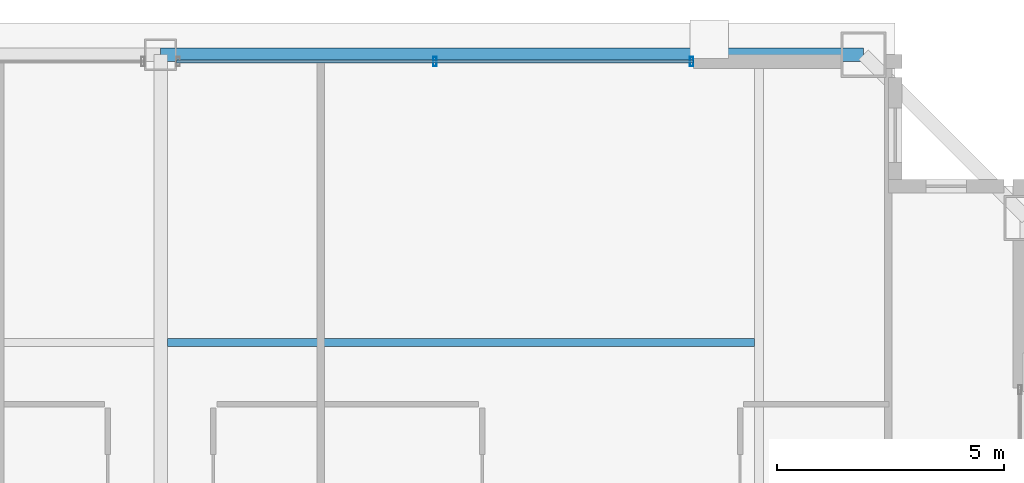
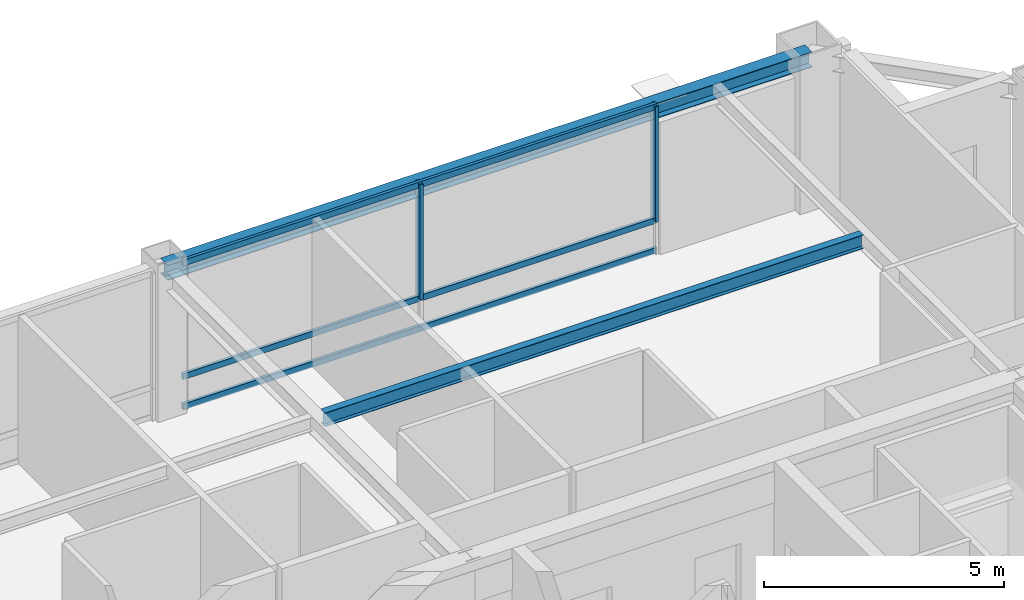
# One storey, part 19 of 34: 5 members, 2 beams, 1 element without a shape of its own.
"""IFC4 building model written with IfcOpenShell, lengths in metres."""

import ifcopenshell
import ifcopenshell.guid

model = None  # the IFC model being written
_history = None  # IfcOwnerHistory: only IFC2X3 demands one
_inside = {}  # id of a spatial element -> (the spatial element, [elements in it])
_under = {}  # id of a project, library or spatial element -> (it, [spatial elements below it])
_declared = {}  # id of a project -> (the project, [libraries it declares])
_typed = {}  # id of a type object -> (the type object, [elements of that type])
_made_of = {}  # id of a material, layer set ... -> (it, [elements and type objects made of it])


def new_model(schema):
    """Start an empty IFC model of exactly this schema.

    Asked for "IFC4X3", IfcOpenShell would pick the latest addendum, in which some entities
    have other attributes; the version numbers below select the first issue.
    IFC2X3 requires an IfcOwnerHistory on every rooted entity: one is made here for all.
    """
    global model, _history
    if schema == "IFC4X3":
        model = ifcopenshell.file(schema_version=(4, 3, 0, 0))
    else:
        model = ifcopenshell.file(schema=schema)
    _inside.clear()
    _under.clear()
    _declared.clear()
    _typed.clear()
    _made_of.clear()
    _history = None
    if model.schema == "IFC2X3":
        org = make("IfcOrganization", Name="unknown")
        user = make(
            "IfcPersonAndOrganization",
            ThePerson=make("IfcPerson", FamilyName="unknown"),
            TheOrganization=org,
        )
        app = make(
            "IfcApplication",
            ApplicationDeveloper=org,
            Version="unknown",
            ApplicationFullName="unknown",
            ApplicationIdentifier="unknown",
        )
        _history = make(
            "IfcOwnerHistory",
            OwningUser=user,
            OwningApplication=app,
            ChangeAction="ADDED",
            CreationDate=0,
        )
    return model


def make(cls, **values):
    """One entity of the class cls with the attributes given. An attribute that is None is left unset."""
    return model.create_entity(
        cls, **{name: value for name, value in values.items() if value is not None}
    )


def rooted(cls, **values):
    """An entity with a GlobalId (a new one), such as an element, a storey or a relation."""
    return make(cls, GlobalId=ifcopenshell.guid.new(), OwnerHistory=_history, **values)


def si_unit(unit_type, name, prefix=None):
    """IfcSIUnit, for example si_unit("LENGTHUNIT", "METRE", prefix="MILLI")."""
    return make("IfcSIUnit", UnitType=unit_type, Prefix=prefix, Name=name)


def assignment(units):
    """IfcUnitAssignment: the units of a project."""
    return None if units is None else make("IfcUnitAssignment", Units=units)


def point(xyz):
    """IfcCartesianPoint."""
    return None if xyz is None else make("IfcCartesianPoint", Coordinates=xyz)


def direction(xyz):
    """IfcDirection."""
    return None if xyz is None else make("IfcDirection", DirectionRatios=xyz)


def frame(location, z_axis=None, x_axis=None):
    """IfcAxis2Placement3D, a coordinate frame: its origin and axes. An axis left out is left unset."""
    return make(
        "IfcAxis2Placement3D",
        Location=point(location),
        Axis=direction(z_axis),
        RefDirection=direction(x_axis),
    )


def frame_2d(location, x_axis=None):
    """IfcAxis2Placement2D, a coordinate frame in the plane: its origin and x axis."""
    return make(
        "IfcAxis2Placement2D", Location=point(location), RefDirection=direction(x_axis)
    )


def origin():
    """The frame at (0, 0, 0) with its axes left unset."""
    return frame((0.0, 0.0, 0.0))


def origin_2d():
    """The frame at (0, 0) in the plane with its x axis left unset."""
    return frame_2d((0.0, 0.0))


def place(relative_to, where):
    """IfcLocalPlacement: puts the frame where relative to a parent placement (None: the world)."""
    return make(
        "IfcLocalPlacement", PlacementRelTo=relative_to, RelativePlacement=where
    )


def context(
    kind, dimensions, precision=None, world=None, true_north=None, identifier=None
):
    """IfcGeometricRepresentationContext, for example the 3D "Model" context."""
    return make(
        "IfcGeometricRepresentationContext",
        ContextIdentifier=identifier,
        ContextType=kind,
        CoordinateSpaceDimension=dimensions,
        Precision=precision,
        WorldCoordinateSystem=world,
        TrueNorth=true_north,
    )


def subcontext(parent, identifier, kind, view, scale=None):
    """IfcGeometricRepresentationSubContext, for example "Body" below "Model"."""
    return make(
        "IfcGeometricRepresentationSubContext",
        ContextIdentifier=identifier,
        ContextType=kind,
        ParentContext=parent,
        TargetScale=scale,
        TargetView=view,
    )


def project(units=None, contexts=None):
    """IfcProject with its units and contexts."""
    return rooted(
        "IfcProject",
        Name="project",
        RepresentationContexts=contexts,
        UnitsInContext=assignment(units),
    )


def spatial(cls, under=None, at=None, **own):
    """A site, building, storey or space (cls), placed at a placement, below another one or the project."""
    s = rooted(cls, ObjectPlacement=at, **own)
    if under is not None:
        _under.setdefault(under.id(), (under, []))[1].append(s)
    return s


def profile(cls, at=None, kind="AREA", **sizes):
    """A parametric profile (cls). Its sizes go by their IFC names, for example OverallWidth=200.0."""
    return make(cls, ProfileType=kind, Position=at, **sizes)


def hollow_rectangle(**sizes):
    """IfcRectangleHollowProfileDef."""
    return profile("IfcRectangleHollowProfileDef", **sizes)


def i_section(**sizes):
    """IfcIShapeProfileDef."""
    return profile("IfcIShapeProfileDef", **sizes)


def extrude(swept, where, along, depth):
    """IfcExtrudedAreaSolid: the profile swept, set in the frame where, extruded along a direction by depth."""
    return make(
        "IfcExtrudedAreaSolid",
        SweptArea=swept,
        Position=where,
        ExtrudedDirection=direction(along),
        Depth=depth,
    )


def shape(context_of_items, identifier, shape_type, items):
    """IfcShapeRepresentation: the items that make up one representation, for example the "Body"."""
    return make(
        "IfcShapeRepresentation",
        ContextOfItems=context_of_items,
        RepresentationIdentifier=identifier,
        RepresentationType=shape_type,
        Items=items,
    )


def source(mapping_origin, context_of_items, identifier, shape_type, items):
    """IfcRepresentationMap: a shape defined once, which mapped items show again and again."""
    return make(
        "IfcRepresentationMap",
        MappingOrigin=mapping_origin,
        MappedRepresentation=shape(context_of_items, identifier, shape_type, items),
    )


def transform(
    local_origin,
    x_axis=None,
    y_axis=None,
    z_axis=None,
    scale=None,
    scale2=None,
    scale3=None,
    uniform=True,
):
    """IfcCartesianTransformationOperator3D, or its non-uniform kind. x_axis, y_axis, z_axis: its Axis1, 2, 3."""
    if uniform:
        return make(
            "IfcCartesianTransformationOperator3D",
            Axis1=direction(x_axis),
            Axis2=direction(y_axis),
            LocalOrigin=point(local_origin),
            Scale=scale,
            Axis3=direction(z_axis),
        )
    return make(
        "IfcCartesianTransformationOperator3DnonUniform",
        Axis1=direction(x_axis),
        Axis2=direction(y_axis),
        LocalOrigin=point(local_origin),
        Scale=scale,
        Axis3=direction(z_axis),
        Scale2=scale2,
        Scale3=scale3,
    )


def mapped(mapping_source, mapping_target):
    """IfcMappedItem: shows the shape of a source again, moved by a transform."""
    return make(
        "IfcMappedItem", MappingSource=mapping_source, MappingTarget=mapping_target
    )


def material(Name=None, Category=None):
    """IfcMaterial."""
    return make("IfcMaterial", Name=Name, Category=Category)


def layer(
    of_material, thickness, ventilated=None, Name=None, Category=None, Priority=None
):
    """IfcMaterialLayer: one layer of a wall or slab, of a material (None: an air gap)."""
    return make(
        "IfcMaterialLayer",
        Material=of_material,
        LayerThickness=thickness,
        IsVentilated=ventilated,
        Name=Name,
        Category=Category,
        Priority=Priority,
    )


def layer_set(layers, Name=None):
    """IfcMaterialLayerSet."""
    return make("IfcMaterialLayerSet", MaterialLayers=layers, LayerSetName=Name)


def material_profile(
    of_material, cross_section, Name=None, Category=None, Priority=None
):
    """IfcMaterialProfile: a cross section and its material."""
    return make(
        "IfcMaterialProfile",
        Name=Name,
        Material=of_material,
        Profile=cross_section,
        Priority=Priority,
        Category=Category,
    )


def profile_set(profiles, Name=None, composite=None):
    """IfcMaterialProfileSet."""
    return make(
        "IfcMaterialProfileSet",
        Name=Name,
        MaterialProfiles=profiles,
        CompositeProfile=composite,
    )


def made_of(thing, what):
    """Note that an element or type object is made of a material, layer set ...; save() writes the relation."""
    if what is not None:
        _made_of.setdefault(what.id(), (what, []))[1].append(thing)
    return thing


def type_object(cls, material=None, **own):
    """A type object (cls), such as IfcWallType, which elements share."""
    return made_of(rooted(cls, **own), material)


def element(
    cls,
    number,
    at=None,
    inside=None,
    cuts=None,
    type_object=None,
    material=None,
    context=None,
    identifier="Body",
    shape_type=None,
    held_by="IfcProductDefinitionShape",
    body=None,
    shapes=None,
    **own,
):
    """One element of the class cls, such as IfcWall. Its Tag is "e" and its number.

    at: its placement. inside: the storey or other place that contains it. cuts: it is an
    opening in that element (IfcRelVoidsElement). A single representation is given by context,
    identifier, shape_type and body (its items); several are given by shapes. held_by: the class
    of the entity that holds the representations. save() writes the other relations.
    """
    e = rooted(cls, Tag="e%d" % number, ObjectPlacement=at, **own)
    if body is not None:
        shapes = [shape(context, identifier, shape_type, body)]
    if shapes is not None:
        e.Representation = make(held_by, Representations=shapes)
    if inside is not None:
        _inside.setdefault(inside.id(), (inside, []))[1].append(e)
    if cuts is not None:
        rooted(
            "IfcRelVoidsElement", RelatingBuildingElement=cuts, RelatedOpeningElement=e
        )
    if type_object is not None:
        _typed.setdefault(type_object.id(), (type_object, []))[1].append(e)
    return made_of(e, material)


def aggregate(whole, parts):
    """IfcRelAggregates: a whole, such as a stair, and the parts it consists of."""
    return rooted("IfcRelAggregates", RelatingObject=whole, RelatedObjects=parts)


def save(model, path):
    """Write the relations noted so far, then the file.

    IfcRelAggregates (storeys below a building ...), IfcRelContainedInSpatialStructure (elements
    in a storey), IfcRelDefinesByType, IfcRelAssociatesMaterial and IfcRelDeclares: one each for
    every whole, place, type object, material and project.
    """
    for whole, parts in _under.values():
        aggregate(whole, parts)
    for where, things in _inside.values():
        rooted(
            "IfcRelContainedInSpatialStructure",
            RelatedElements=things,
            RelatingStructure=where,
        )
    for kind, things in _typed.values():
        rooted("IfcRelDefinesByType", RelatedObjects=things, RelatingType=kind)
    for what, things in _made_of.values():
        rooted("IfcRelAssociatesMaterial", RelatedObjects=things, RelatingMaterial=what)
    for by, libraries in _declared.values():
        rooted("IfcRelDeclares", RelatingContext=by, RelatedDefinitions=libraries)
    model.write(path)


model = new_model("IFC4")

# Units and contexts
model_context = context("Model", 3, precision=1e-05, world=origin(), true_north=direction((0.0, 1.0)))
body_context = subcontext(model_context, "Body", "Model", "MODEL_VIEW")
ifc_project = project(units=[si_unit("LENGTHUNIT", "METRE"), si_unit("AREAUNIT", "SQUARE_METRE"), si_unit("VOLUMEUNIT", "CUBIC_METRE"), si_unit("PLANEANGLEUNIT", "RADIAN"), si_unit("MASSUNIT", "GRAM", prefix="KILO"), si_unit("THERMODYNAMICTEMPERATUREUNIT", "KELVIN"), si_unit("POWERUNIT", "WATT")], contexts=[model_context])

# Site, building, storey
site_placement = place(None, origin())
site = spatial("IfcSite", under=ifc_project, at=site_placement, CompositionType="ELEMENT")
building_placement = place(site_placement, origin())
building = spatial("IfcBuilding", under=site, at=building_placement, Name="Yuzanri Waterfront Tower", CompositionType="ELEMENT")
storey_placement = place(building_placement, frame((0.0, 0.0, 339.199951171875)))
storey = spatial("IfcBuildingStorey", under=building, at=storey_placement, Name="L91", CompositionType="ELEMENT", Elevation=339.199951171875)

# Beams
ifc_material_1 = material(Name="Steel Q355B", Category="steel")
ifc_material_profile_1 = material_profile(ifc_material_1, i_section(OverallWidth=0.175048828125, OverallDepth=0.35009765625, WebThickness=0.007080078125, FlangeThickness=0.010986328125, at=origin_2d()), Name="HN 350x175x7x11")
ifc_profile_set_1 = profile_set([ifc_material_profile_1], Name="Steel Q355B")
beam_type_1 = type_object("IfcBeamType", Name="Floor Joist Q355B HN 350x175", PredefinedType="JOIST", material=ifc_profile_set_1)
shared_shape_1 = source(origin(), body_context, "Body", "SweptSolid", [
    extrude(i_section(OverallWidth=0.175048828125, OverallDepth=0.35009765625, WebThickness=0.007080078125, FlangeThickness=0.010986328125, at=origin_2d()), origin(), (0.0, 0.0, 1.0), 12.9501953125),
])
beam_1_placement = place(storey_placement, frame((37.14990234375, 38.550048828125, 3.5849609375), z_axis=(1.0, 0.0, 0.0), x_axis=(0.0, 1.0, 0.0)))
element("IfcBeam", 1, at=beam_1_placement, inside=storey, type_object=beam_type_1, Name="L91 North Bay Joist E", PredefinedType="JOIST", context=body_context, shape_type="MappedRepresentation", body=[
    mapped(shared_shape_1, transform((0.0, 0.0, 0.0), scale=1.0)),
])
ifc_material_2 = material(Name="Steel Q355B", Category="steel")
ifc_material_profile_2 = material_profile(ifc_material_2, i_section(OverallWidth=0.300048828125, OverallDepth=0.389892578125, WebThickness=0.010009765625, FlangeThickness=0.01611328125, at=origin_2d()), Name="HM 390x300x10x16")
ifc_profile_set_2 = profile_set([ifc_material_profile_2], Name="Steel Q355B")
beam_type_2 = type_object("IfcBeamType", Name="Perimeter Spandrel Q355B HM 390x300", PredefinedType="SPANDREL", material=ifc_profile_set_2)
shared_shape_2 = source(origin(), body_context, "Body", "SweptSolid", [
    extrude(i_section(OverallWidth=0.300048828125, OverallDepth=0.389892578125, WebThickness=0.010009765625, FlangeThickness=0.01611328125, at=origin_2d()), origin(), (0.0, 0.0, 1.0), 15.5),
])
beam_2_placement = place(storey_placement, frame((52.5, 44.89990234375, 3.56494140625), z_axis=(-1.0, 0.0, 0.0), x_axis=(0.0, -1.0, 0.0)))
element("IfcBeam", 2, at=beam_2_placement, inside=storey, type_object=beam_type_2, Name="L91 Perimeter Spandrel N3-N2", PredefinedType="SPANDREL", context=body_context, shape_type="MappedRepresentation", body=[
    mapped(shared_shape_2, transform((0.0, 0.0, 0.0), scale=1.0)),
])

# Curtain wall, members
ifc_material_3 = material(Name="Anodized Architectural Bronze", Category="metal")
ifc_layer = layer(ifc_material_3, 0.159912109375)
ifc_layer_set = layer_set([ifc_layer], Name="Anodized Architectural Bronze")
curtain_wall_type = type_object("IfcCurtainWallType", Name="Anodized Bronze High-Rise Penthouse High-Wind Unitized Curtain Wall 6900", PredefinedType="NOTDEFINED", material=ifc_layer_set)
curtain_wall_placement = place(storey_placement, origin())
curtain_wall = element("IfcCurtainWall", 3, at=curtain_wall_placement, inside=storey, type_object=curtain_wall_type, Name="L91 Curtain Wall CW-L91-NR", PredefinedType="NOTDEFINED")
ifc_material_4 = material(Name="Anodized Architectural Bronze", Category="metal")
ifc_material_profile_3 = material_profile(ifc_material_4, hollow_rectangle(XDim=0.074951171875, YDim=0.14990234375, WallThickness=0.00390625, at=origin_2d()), Name="CWT 75x150")
ifc_profile_set_3 = profile_set([ifc_material_profile_3], Name="Anodized Architectural Bronze")
member_type_1 = type_object("IfcMemberType", Name="Anodized Bronze Primary Curtain-Wall Transom 75x150", PredefinedType="USERDEFINED", material=ifc_profile_set_3)
shared_shape_3 = source(origin(), body_context, "Body", "SweptSolid", [
    extrude(hollow_rectangle(XDim=0.074951171875, YDim=0.14990234375, WallThickness=0.00390625, at=origin_2d()), origin(), (0.0, 0.0, 1.0), 11.39990234375),
])
member_1_placement = place(storey_placement, frame((37.35009765625, 44.75, 0.050048828125), z_axis=(1.0, 0.0, 0.0), x_axis=(0.0, 1.0, 0.0)))
member_1 = element("IfcMember", 4, at=member_1_placement, type_object=member_type_1, Name="CW-L91-NR Transom 1", ObjectType="TRANSOM", PredefinedType="USERDEFINED", context=body_context, shape_type="MappedRepresentation", body=[
    mapped(shared_shape_3, transform((0.0, 0.0, 0.0), scale=1.0)),
])
member_2_placement = place(storey_placement, frame((37.35009765625, 44.75, 0.820068359375), z_axis=(1.0, 0.0, 0.0), x_axis=(0.0, 1.0, 0.0)))
member_2 = element("IfcMember", 5, at=member_2_placement, type_object=member_type_1, Name="CW-L91-NR Transom 2", ObjectType="TRANSOM", PredefinedType="USERDEFINED", context=body_context, shape_type="MappedRepresentation", body=[
    mapped(shared_shape_3, transform((0.0, 0.0, 0.0), scale=1.0)),
])
member_3_placement = place(storey_placement, frame((37.35009765625, 44.75, 3.7099609375), z_axis=(1.0, 0.0, 0.0), x_axis=(0.0, 1.0, 0.0)))
member_3 = element("IfcMember", 6, at=member_3_placement, type_object=member_type_1, Name="CW-L91-NR Transom 3", ObjectType="TRANSOM", PredefinedType="USERDEFINED", context=body_context, shape_type="MappedRepresentation", body=[
    mapped(shared_shape_3, transform((0.0, 0.0, 0.0), scale=1.0)),
])
ifc_material_5 = material(Name="Anodized Architectural Bronze", Category="metal")
ifc_material_profile_4 = material_profile(ifc_material_5, hollow_rectangle(XDim=0.074951171875, YDim=0.199951171875, WallThickness=0.00390625, at=origin_2d()), Name="CWM 75x200")
ifc_profile_set_4 = profile_set([ifc_material_profile_4], Name="Anodized Architectural Bronze")
member_type_2 = type_object("IfcMemberType", Name="Anodized Bronze Primary Curtain-Wall Mullion 75x200", PredefinedType="MULLION", material=ifc_profile_set_4)
shared_shape_4 = source(origin(), body_context, "Body", "SweptSolid", [
    extrude(hollow_rectangle(XDim=0.074951171875, YDim=0.199951171875, WallThickness=0.00390625, at=origin_2d()), origin(), (0.0, 0.0, 1.0), 2.93798828125),
])
member_4_placement = place(storey_placement, frame((43.050048828125, 44.75, 0.822021484375), z_axis=(0.0, 0.0, 1.0), x_axis=(1.0, 0.0, 0.0)))
member_4 = element("IfcMember", 7, at=member_4_placement, type_object=member_type_2, Name="CW-L91-NR Upper Mullion 01", PredefinedType="MULLION", context=body_context, shape_type="MappedRepresentation", body=[
    mapped(shared_shape_4, transform((0.0, 0.0, 0.0), scale=1.0)),
])
member_5_placement = place(storey_placement, frame((48.7099609375, 44.75, 0.822021484375), z_axis=(0.0, 0.0, 1.0), x_axis=(1.0, 0.0, 0.0)))
member_5 = element("IfcMember", 8, at=member_5_placement, type_object=member_type_2, Name="CW-L91-NR Upper Mullion 02", PredefinedType="MULLION", context=body_context, shape_type="MappedRepresentation", body=[
    mapped(shared_shape_4, transform((0.0, 0.0, 0.0), scale=1.0)),
])
aggregate(curtain_wall, [member_4, member_5, member_1, member_2, member_3])

save(model, "model.ifc")
